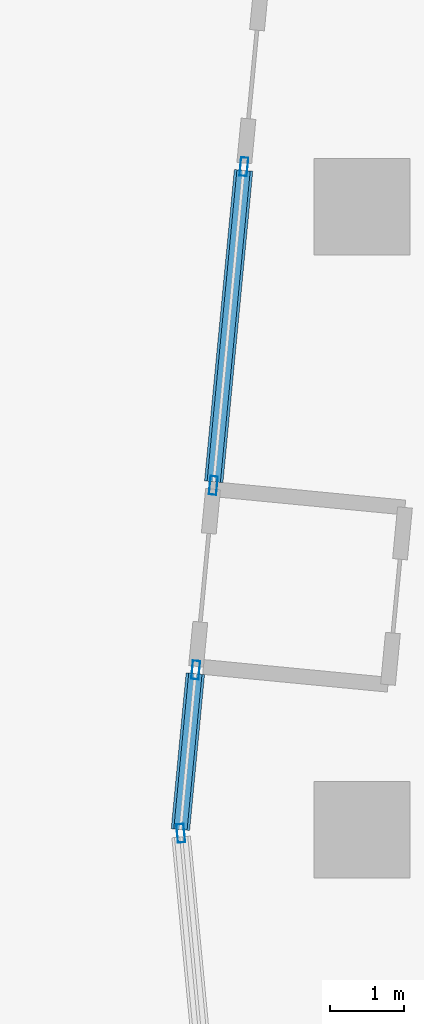
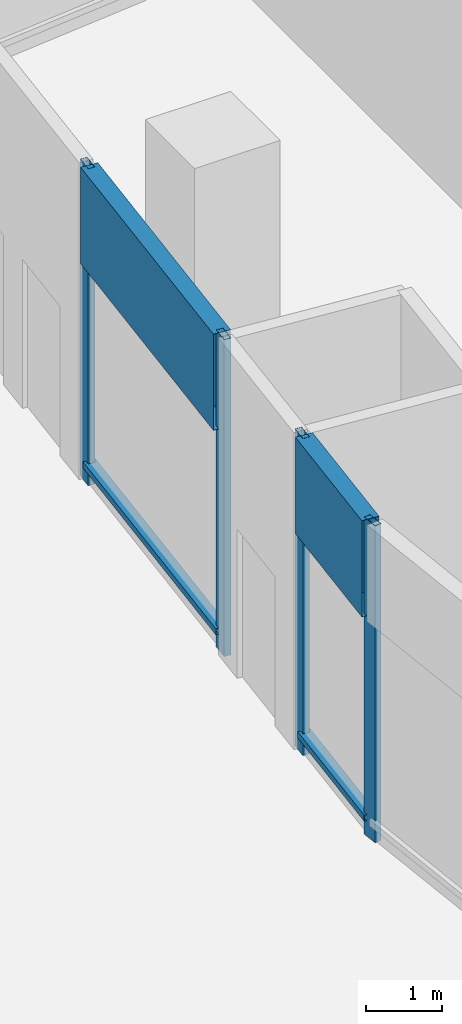
# One storey, part 4 of 22: 8 members, 3 elements without a shape of their own.
"""IFC4 building model written with IfcOpenShell, lengths in metres."""

from ifc_helpers import new_model, si_unit, direction, frame, origin, origin_2d, place, context, subcontext, project, spatial, hollow_rectangle, extrude, material, material_profile, profile_set, type_object, element, aggregate, save


model = new_model("IFC4")

# Units and contexts
model_context = context("Model", 3, precision=1e-05, world=origin(), true_north=direction((0.0, 1.0)))
body_context = subcontext(model_context, "Body", "Model", "MODEL_VIEW")
ifc_project = project(units=[si_unit("LENGTHUNIT", "METRE"), si_unit("AREAUNIT", "SQUARE_METRE"), si_unit("VOLUMEUNIT", "CUBIC_METRE"), si_unit("PLANEANGLEUNIT", "RADIAN"), si_unit("MASSUNIT", "GRAM", prefix="KILO")], contexts=[model_context])

# Site, building, storey
site_placement = place(None, origin())
site = spatial("IfcSite", under=ifc_project, at=site_placement, CompositionType="ELEMENT")
building_placement = place(site_placement, origin())
building = spatial("IfcBuilding", under=site, at=building_placement, Name="Rekha Terrace Tower", CompositionType="ELEMENT")
storey_placement = place(building_placement, frame((0.0, 0.0, 291.35009765625)))
storey = spatial("IfcBuildingStorey", under=building, at=storey_placement, Name="L74", CompositionType="ELEMENT", Elevation=291.35009765625)

# Curtain wall, members
ifc_material_1 = material(Name="Aluminium framing", Category="aluminium")
curtain_wall_type = type_object("IfcCurtainWallType", Name="CW6 observation glazing", PredefinedType="USERDEFINED", material=ifc_material_1)
curtain_wall_1_placement = place(storey_placement, origin())
curtain_wall_1 = element("IfcCurtainWall", 1, at=curtain_wall_1_placement, inside=storey, type_object=curtain_wall_type, Name="CW6 observation curtain wall", ObjectType="OBSERVATION CURTAIN WALL", PredefinedType="USERDEFINED")
ifc_material_2 = material(Name="Aluminium mullion section", Category="aluminium")
ifc_material_profile_1 = material_profile(ifc_material_2, hollow_rectangle(XDim=0.10009765625, YDim=0.25, WallThickness=0.00390625, at=origin_2d()), Name="AL RHS 100x250")
ifc_profile_set_1 = profile_set([ifc_material_profile_1], Name="Aluminium mullion section")
member_type_1 = type_object("IfcMemberType", Name="CW6 mullion RHS 100 x 250", PredefinedType="MULLION", material=ifc_profile_set_1)
member_1_placement = place(storey_placement, frame((15.20703125, 42.539306640625, 0.0), z_axis=(0.0, 0.0, 1.0), x_axis=(0.995444921641, -0.095338386699, 0.0)))
member_1 = element("IfcMember", 2, at=member_1_placement, type_object=member_type_1, Name="CW6 mullion 1", PredefinedType="MULLION", context=body_context, shape_type="SweptSolid", body=[
    extrude(hollow_rectangle(XDim=0.10009765625, YDim=0.25, WallThickness=0.00390625, at=origin_2d()), origin(), (0.0, 0.0, 1.0), 5.099853515625),
])
member_2_placement = place(storey_placement, frame((14.79541015625, 38.24072265625, 0.0), z_axis=(0.0, 0.0, 1.0), x_axis=(0.995444921641, -0.095338386699, 0.0)))
member_2 = element("IfcMember", 3, at=member_2_placement, type_object=member_type_1, Name="CW6 mullion 2", PredefinedType="MULLION", context=body_context, shape_type="SweptSolid", body=[
    extrude(hollow_rectangle(XDim=0.10009765625, YDim=0.25, WallThickness=0.00390625, at=origin_2d()), origin(), (0.0, 0.0, 1.0), 5.099853515625),
])

# Curtain wall, member
curtain_wall_2_placement = place(storey_placement, origin())
curtain_wall_2 = element("IfcCurtainWall", 4, at=curtain_wall_2_placement, inside=storey, type_object=curtain_wall_type, Name="CW6 observation curtain wall", ObjectType="OBSERVATION CURTAIN WALL", PredefinedType="USERDEFINED")
member_3_placement = place(storey_placement, frame((14.55712890625, 35.752197265625, 0.0), z_axis=(0.0, 0.0, 1.0), x_axis=(0.99544492162, -0.095338386925, 0.0)))
member_3 = element("IfcMember", 5, at=member_3_placement, type_object=member_type_1, Name="CW6 mullion 1", PredefinedType="MULLION", context=body_context, shape_type="SweptSolid", body=[
    extrude(hollow_rectangle(XDim=0.10009765625, YDim=0.25, WallThickness=0.00390625, at=origin_2d()), origin(), (0.0, 0.0, 1.0), 5.099853515625),
])

curtain_wall_3_placement = place(storey_placement, origin())
curtain_wall_3 = element("IfcCurtainWall", 6, at=curtain_wall_3_placement, inside=storey, type_object=curtain_wall_type, Name="CW6 observation curtain wall", ObjectType="OBSERVATION CURTAIN WALL", PredefinedType="USERDEFINED")
member_4_placement = place(storey_placement, frame((14.355712890625, 33.55029296875, 0.0), z_axis=(0.0, 0.0, 1.0), x_axis=(0.995444921626, 0.095338386855, 0.0)))
member_4 = element("IfcMember", 7, at=member_4_placement, type_object=member_type_1, Name="CW6 mullion 1", PredefinedType="MULLION", context=body_context, shape_type="SweptSolid", body=[
    extrude(hollow_rectangle(XDim=0.10009765625, YDim=0.25, WallThickness=0.00390625, at=origin_2d()), origin(), (0.0, 0.0, 1.0), 5.099853515625),
])
aggregate(curtain_wall_3, [member_4])

# Member
ifc_material_3 = material(Name="Insulated aluminium spandrel box", Category="aluminium")
ifc_material_profile_2 = material_profile(ifc_material_3, hollow_rectangle(XDim=0.25, YDim=1.550048828125, WallThickness=0.0029296875, at=origin_2d()), Name="AL SPANDREL BOX 250x1550")
ifc_profile_set_2 = profile_set([ifc_material_profile_2], Name="Insulated aluminium spandrel box")
member_type_2 = type_object("IfcMemberType", Name="CW6 spandrel transom 250 x 1550", PredefinedType="USERDEFINED", material=ifc_profile_set_2)
member_5_placement = place(storey_placement, frame((15.202392578125, 42.489501953125, 4.324951171875), z_axis=(-0.095382652622, -0.995440681095, 0.0), x_axis=(0.995440681095, -0.095382652622, 0.0)))
member_5 = element("IfcMember", 8, at=member_5_placement, type_object=member_type_2, Name="CW6 spandrel transom 1", ObjectType="TRANSOM", PredefinedType="USERDEFINED", context=body_context, shape_type="SweptSolid", body=[
    extrude(hollow_rectangle(XDim=0.25, YDim=1.550048828125, WallThickness=0.0029296875, at=origin_2d()), origin(), (0.0, 0.0, 1.0), 4.21826171875),
])

member_6_placement = place(storey_placement, frame((14.55224609375, 35.702392578125, 4.324951171875), z_axis=(-0.095370977215, -0.995441799758, 0.0), x_axis=(0.995441799758, -0.095370977215, 0.0)))
member_6 = element("IfcMember", 9, at=member_6_placement, type_object=member_type_2, Name="CW6 spandrel transom 1", ObjectType="TRANSOM", PredefinedType="USERDEFINED", context=body_context, shape_type="SweptSolid", body=[
    extrude(hollow_rectangle(XDim=0.25, YDim=1.550048828125, WallThickness=0.0029296875, at=origin_2d()), origin(), (0.0, 0.0, 1.0), 2.11181640625),
])

ifc_material_4 = material(Name="Aluminium transom section", Category="aluminium")
ifc_material_profile_3 = material_profile(ifc_material_4, hollow_rectangle(XDim=0.179931640625, YDim=0.10009765625, WallThickness=0.0029296875, at=origin_2d()), Name="AL RHS 180x100")
ifc_profile_set_3 = profile_set([ifc_material_profile_3], Name="Aluminium transom section")
member_type_3 = type_object("IfcMemberType", Name="CW6 transom RHS 100 x 180", PredefinedType="USERDEFINED", material=ifc_profile_set_3)
member_7_placement = place(storey_placement, frame((15.202392578125, 42.489501953125, 0.2998046875), z_axis=(-0.095382652622, -0.995440681095, 0.0), x_axis=(0.995440681095, -0.095382652622, 0.0)))
member_7 = element("IfcMember", 10, at=member_7_placement, type_object=member_type_3, Name="CW6 transom 1.2", ObjectType="TRANSOM", PredefinedType="USERDEFINED", context=body_context, shape_type="SweptSolid", body=[
    extrude(hollow_rectangle(XDim=0.179931640625, YDim=0.10009765625, WallThickness=0.0029296875, at=origin_2d()), origin(), (0.0, 0.0, 1.0), 4.21826171875),
])

aggregate(curtain_wall_1, [member_1, member_2, member_7, member_5])

member_8_placement = place(storey_placement, frame((14.55224609375, 35.702392578125, 0.2998046875), z_axis=(-0.095370977215, -0.995441799758, 0.0), x_axis=(0.995441799758, -0.095370977215, 0.0)))
member_8 = element("IfcMember", 11, at=member_8_placement, type_object=member_type_3, Name="CW6 transom 1.2", ObjectType="TRANSOM", PredefinedType="USERDEFINED", context=body_context, shape_type="SweptSolid", body=[
    extrude(hollow_rectangle(XDim=0.179931640625, YDim=0.10009765625, WallThickness=0.0029296875, at=origin_2d()), origin(), (0.0, 0.0, 1.0), 2.11181640625),
])

aggregate(curtain_wall_2, [member_3, member_8, member_6])

save(model, "model.ifc")
